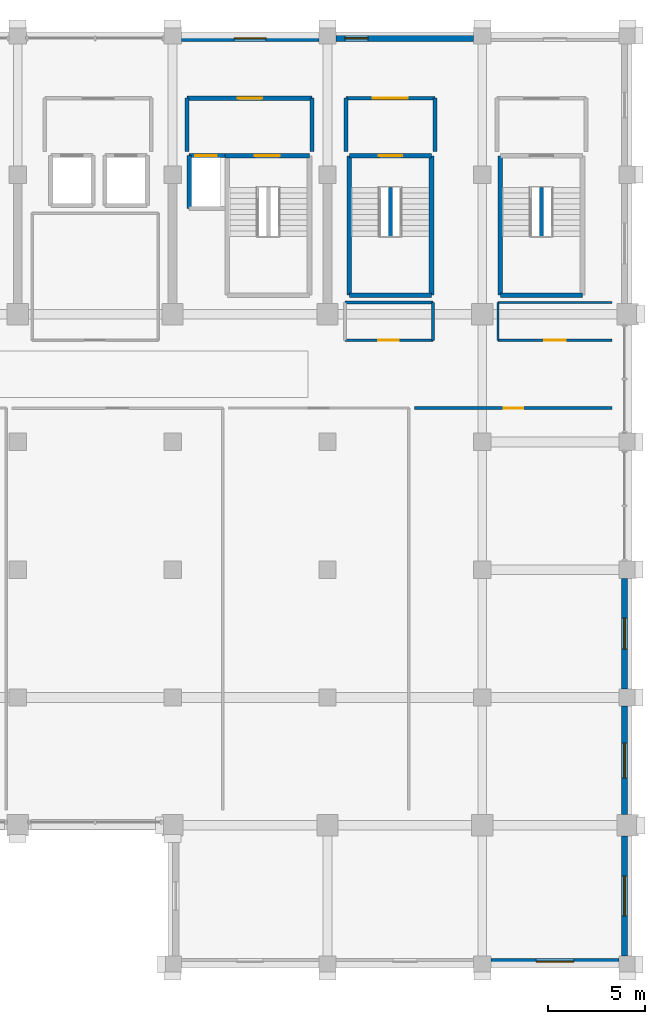
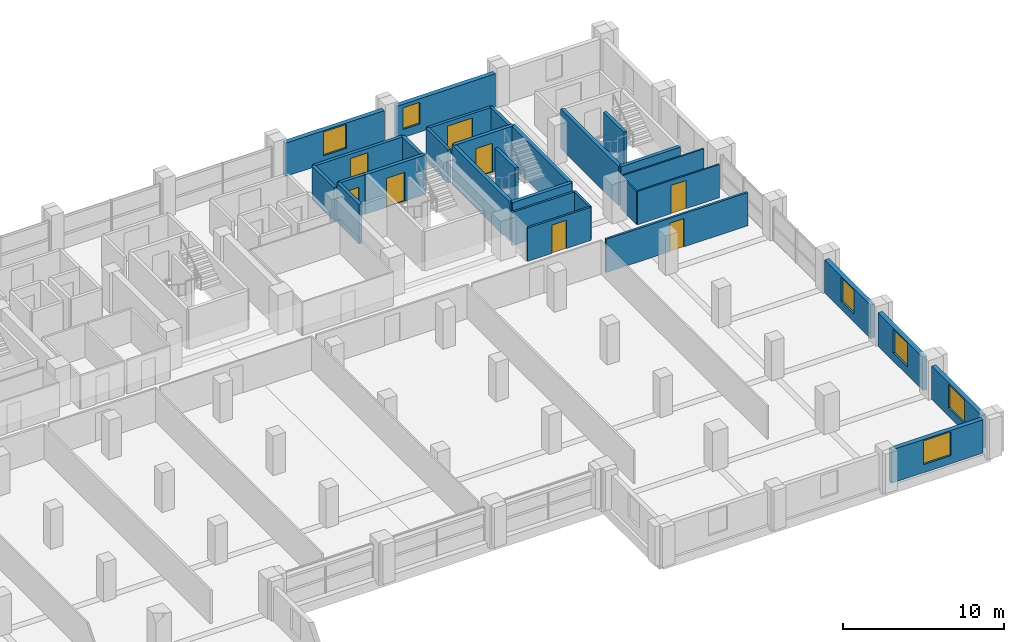
# One storey, part 19 of 22: 30 walls, 8 doors, 6 windows, 14 openings.
"""IFC4 building model written with IfcOpenShell, lengths in metres."""

from ifc_helpers import new_model, si_unit, direction, frame, frame_2d, origin, place, context, subcontext, project, spatial, rectangle, extrude, material, layer, layer_set, type_object, element, fill, save


model = new_model("IFC4")

# Units and contexts
model_context = context("Model", 3, precision=1e-05, world=origin(), true_north=direction((0.0, 1.0)))
body_context = subcontext(model_context, "Body", "Model", "MODEL_VIEW")
ifc_project = project(units=[si_unit("LENGTHUNIT", "METRE"), si_unit("AREAUNIT", "SQUARE_METRE"), si_unit("VOLUMEUNIT", "CUBIC_METRE"), si_unit("PLANEANGLEUNIT", "RADIAN"), si_unit("MASSUNIT", "GRAM", prefix="KILO")], contexts=[model_context])

# Site, building, storey
site_placement = place(None, origin())
site = spatial("IfcSite", under=ifc_project, at=site_placement, CompositionType="ELEMENT")
building_placement = place(site_placement, origin())
building = spatial("IfcBuilding", under=site, at=building_placement, Name="Akrevak Sports Hall", CompositionType="ELEMENT")
storey_placement = place(building_placement, frame((0.0, 0.0, 30.800048828125)))
storey = spatial("IfcBuildingStorey", under=building, at=storey_placement, Name="L06", CompositionType="ELEMENT", Elevation=30.800048828125)

# Wall, opening, window
ifc_material_1 = material(Name="Limestone Ashlar", Category="stone")
ifc_layer_1 = layer(ifc_material_1, 0.070068359375, Name="Limestone Ashlar")
ifc_material_2 = material(Name="Mineral Wool Thermal Insulation", Category="insulation")
ifc_layer_2 = layer(ifc_material_2, 0.090087890625, Name="Mineral Wool Thermal Insulation")
ifc_material_3 = material(Name="Concrete C40/50", Category="concrete")
ifc_layer_3 = layer(ifc_material_3, 0.159912109375, Name="Concrete C40/50")
ifc_layer_set_1 = layer_set([ifc_layer_1, ifc_layer_2, ifc_layer_3], Name="Limestone Ashlar / Mineral Wool Thermal Insulation / Concrete C40/50")
wall_type_1 = type_object("IfcWallType", Name="ARC-WL-EXT-320", PredefinedType="SOLIDWALL", material=ifc_layer_set_1)
wall_1_placement = place(storey_placement, frame((108.449951171875, 21.760009765625, 0.0), z_axis=(0.0, 0.0, 1.0), x_axis=(1.0, 0.0, 0.0)))
wall_1 = element("IfcWall", 1, at=wall_1_placement, inside=storey, type_object=wall_type_1, Name="Tower Stone Facade Wall L06-S11", PredefinedType="SOLIDWALL", context=body_context, shape_type="SweptSolid", body=[
    extrude(rectangle(XDim=6.60009765625, YDim=0.320068359375, at=frame_2d((3.300048828125, 0.0))), origin(), (0.0, 0.0, 1.0), 2.530029296875),
])
opening_1_placement = place(wall_1_placement, frame((2.324951171875, 0.0, 0.6201171875)))
opening_1 = element("IfcOpeningElement", 2, at=opening_1_placement, cuts=wall_1, Name="Opening WN-52", PredefinedType="OPENING", context=body_context, shape_type="SweptSolid", body=[
    extrude(rectangle(XDim=1.949951171875, YDim=1.81005859375, at=frame_2d((0.97509765625, 0.905029296875))), frame((0.0, 0.171875, 0.0), z_axis=(0.0, -1.0, 0.0), x_axis=(1.0, 0.0, 0.0)), (0.0, 0.0, 1.0), 0.343994140625),
])
ifc_material_4 = material(Name="Thermally Broken Bronze Frame & Double Low-E Glass", Category="glass")
window_type_1 = type_object("IfcWindowType", Name="ARC-WIN-SZ-1950x1810", PartitioningType="SINGLE_PANEL", PredefinedType="WINDOW", material=ifc_material_4)
window_1_placement = place(opening_1_placement, origin())
window_1 = element("IfcWindow", 3, at=window_1_placement, inside=storey, type_object=window_type_1, Name="Tower Window L06-S11", OverallHeight=1.81005859375, OverallWidth=1.949951171875, PartitioningType="SINGLE_PANEL", PredefinedType="WINDOW", context=body_context, shape_type="SweptSolid", body=[
    extrude(rectangle(XDim=1.949951171875, YDim=1.81005859375, at=frame_2d((0.97509765625, 0.905029296875))), frame((0.0, 0.030029296875, 0.0), z_axis=(0.0, -1.0, 0.0), x_axis=(1.0, 0.0, 0.0)), (0.0, 0.0, 1.0), 0.06005859375),
])
fill(opening_1, window_1)

wall_2_placement = place(storey_placement, frame((115.340087890625, 22.050048828125, 0.0), z_axis=(0.0, 0.0, 1.0), x_axis=(0.0, 1.0, 0.0)))
wall_2 = element("IfcWall", 4, at=wall_2_placement, inside=storey, type_object=wall_type_1, Name="Tower Stone Facade Wall L06-E12", PredefinedType="SOLIDWALL", context=body_context, shape_type="SweptSolid", body=[
    extrude(rectangle(XDim=6.199951171875, YDim=0.320068359375, at=frame_2d((3.10009765625, 0.0))), origin(), (0.0, 0.0, 1.0), 2.530029296875),
])
opening_2_placement = place(wall_2_placement, frame((2.074951171875, 0.0, 0.6201171875)))
opening_2 = element("IfcOpeningElement", 5, at=opening_2_placement, cuts=wall_2, Name="Opening WN-53", PredefinedType="OPENING", context=body_context, shape_type="SweptSolid", body=[
    extrude(rectangle(XDim=2.050048828125, YDim=1.81005859375, at=frame_2d((1.02490234375, 0.905029296875))), frame((0.0, 0.171875, 0.0), z_axis=(0.0, -1.0, 0.0), x_axis=(1.0, 0.0, 0.0)), (0.0, 0.0, 1.0), 0.343994140625),
])
window_type_2 = type_object("IfcWindowType", Name="ARC-WIN-SZ-2050x1810", PartitioningType="SINGLE_PANEL", PredefinedType="WINDOW", material=ifc_material_4)
window_2_placement = place(opening_2_placement, origin())
window_2 = element("IfcWindow", 6, at=window_2_placement, inside=storey, type_object=window_type_2, Name="Tower Window L06-E12", OverallHeight=1.81005859375, OverallWidth=2.050048828125, PartitioningType="SINGLE_PANEL", PredefinedType="WINDOW", context=body_context, shape_type="SweptSolid", body=[
    extrude(rectangle(XDim=2.050048828125, YDim=1.81005859375, at=frame_2d((1.02490234375, 0.905029296875))), frame((0.0, 0.030029296875, 0.0), z_axis=(0.0, -1.0, 0.0), x_axis=(1.0, 0.0, 0.0)), (0.0, 0.0, 1.0), 0.06005859375),
])
fill(opening_2, window_2)

wall_3_placement = place(storey_placement, frame((115.340087890625, 29.35009765625, 0.0), z_axis=(0.0, 0.0, 1.0), x_axis=(0.0, 1.0, 0.0)))
wall_3 = element("IfcWall", 7, at=wall_3_placement, inside=storey, type_object=wall_type_1, Name="Tower Stone Facade Wall L06-E13", PredefinedType="SOLIDWALL", context=body_context, shape_type="SweptSolid", body=[
    extrude(rectangle(XDim=5.599853515625, YDim=0.320068359375, at=frame_2d((2.7998046875, 0.0))), origin(), (0.0, 0.0, 1.0), 2.530029296875),
])
opening_3_placement = place(wall_3_placement, frame((1.89990234375, 0.0, 0.6201171875)))
opening_3 = element("IfcOpeningElement", 8, at=opening_3_placement, cuts=wall_3, Name="Opening WN-54", PredefinedType="OPENING", context=body_context, shape_type="SweptSolid", body=[
    extrude(rectangle(XDim=1.800048828125, YDim=1.81005859375, at=frame_2d((0.89990234375, 0.905029296875))), frame((0.0, 0.171875, 0.0), z_axis=(0.0, -1.0, 0.0), x_axis=(1.0, 0.0, 0.0)), (0.0, 0.0, 1.0), 0.343994140625),
])
window_type_3 = type_object("IfcWindowType", Name="ARC-WIN-SZ-1800x1810", PartitioningType="SINGLE_PANEL", PredefinedType="WINDOW", material=ifc_material_4)
window_3_placement = place(opening_3_placement, origin())
window_3 = element("IfcWindow", 9, at=window_3_placement, inside=storey, type_object=window_type_3, Name="Tower Window L06-E13", OverallHeight=1.81005859375, OverallWidth=1.800048828125, PartitioningType="SINGLE_PANEL", PredefinedType="WINDOW", context=body_context, shape_type="SweptSolid", body=[
    extrude(rectangle(XDim=1.800048828125, YDim=1.81005859375, at=frame_2d((0.89990234375, 0.905029296875))), frame((0.0, 0.030029296875, 0.0), z_axis=(0.0, -1.0, 0.0), x_axis=(1.0, 0.0, 0.0)), (0.0, 0.0, 1.0), 0.06005859375),
])
fill(opening_3, window_3)

wall_4_placement = place(storey_placement, frame((115.340087890625, 35.85009765625, 0.0), z_axis=(0.0, 0.0, 1.0), x_axis=(0.0, 1.0, 0.0)))
wall_4 = element("IfcWall", 10, at=wall_4_placement, inside=storey, type_object=wall_type_1, Name="Tower Stone Facade Wall L06-E14", PredefinedType="SOLIDWALL", context=body_context, shape_type="SweptSolid", body=[
    extrude(rectangle(XDim=5.699951171875, YDim=0.320068359375, at=frame_2d((2.85009765625, 0.0))), origin(), (0.0, 0.0, 1.0), 2.530029296875),
])
opening_4_placement = place(wall_4_placement, frame((2.050048828125, 0.0, 0.6201171875)))
opening_4 = element("IfcOpeningElement", 11, at=opening_4_placement, cuts=wall_4, Name="Opening WN-57", PredefinedType="OPENING", context=body_context, shape_type="SweptSolid", body=[
    extrude(rectangle(XDim=1.60009765625, YDim=1.81005859375, at=frame_2d((0.800048828125, 0.905029296875))), frame((0.0, 0.171875, 0.0), z_axis=(0.0, -1.0, 0.0), x_axis=(1.0, 0.0, 0.0)), (0.0, 0.0, 1.0), 0.343994140625),
])
window_type_4 = type_object("IfcWindowType", Name="ARC-WIN-SZ-1600x1810", PartitioningType="SINGLE_PANEL", PredefinedType="WINDOW", material=ifc_material_4)
window_4_placement = place(opening_4_placement, origin())
window_4 = element("IfcWindow", 12, at=window_4_placement, inside=storey, type_object=window_type_4, Name="Tower Window L06-E14", OverallHeight=1.81005859375, OverallWidth=1.60009765625, PartitioningType="SINGLE_PANEL", PredefinedType="WINDOW", context=body_context, shape_type="SweptSolid", body=[
    extrude(rectangle(XDim=1.60009765625, YDim=1.81005859375, at=frame_2d((0.800048828125, 0.905029296875))), frame((0.0, 0.030029296875, 0.0), z_axis=(0.0, -1.0, 0.0), x_axis=(1.0, 0.0, 0.0)), (0.0, 0.0, 1.0), 0.06005859375),
])
fill(opening_4, window_4)

wall_5_placement = place(storey_placement, frame((107.550048828125, 69.43994140625, 0.0), z_axis=(0.0, 0.0, 1.0), x_axis=(-1.0, 0.0, 0.0)))
wall_5 = element("IfcWall", 13, at=wall_5_placement, inside=storey, type_object=wall_type_1, Name="Tower Stone Facade Wall L06-N20", PredefinedType="SOLIDWALL", context=body_context, shape_type="SweptSolid", body=[
    extrude(rectangle(XDim=7.10009765625, YDim=0.320068359375, at=frame_2d((3.550048828125, 0.0))), origin(), (0.0, 0.0, 1.0), 2.530029296875),
])
opening_5_placement = place(wall_5_placement, frame((5.449951171875, 0.0, 0.6201171875)))
opening_5 = element("IfcOpeningElement", 14, at=opening_5_placement, cuts=wall_5, Name="Opening WN-45", PredefinedType="OPENING", context=body_context, shape_type="SweptSolid", body=[
    extrude(rectangle(XDim=1.199951171875, YDim=1.64990234375, at=frame_2d((0.60009765625, 0.824951171875))), frame((0.0, 0.171875, 0.0), z_axis=(0.0, -1.0, 0.0), x_axis=(1.0, 0.0, 0.0)), (0.0, 0.0, 1.0), 0.343994140625),
])
window_type_5 = type_object("IfcWindowType", Name="ARC-WIN-SZ-1200x1650", PartitioningType="SINGLE_PANEL", PredefinedType="WINDOW", material=ifc_material_4)
window_5_placement = place(opening_5_placement, origin())
window_5 = element("IfcWindow", 15, at=window_5_placement, inside=storey, type_object=window_type_5, Name="Tower Window L06-N20", OverallHeight=1.64990234375, OverallWidth=1.199951171875, PartitioningType="SINGLE_PANEL", PredefinedType="WINDOW", context=body_context, shape_type="SweptSolid", body=[
    extrude(rectangle(XDim=1.199951171875, YDim=1.64990234375, at=frame_2d((0.60009765625, 0.824951171875))), frame((0.0, 0.030029296875, 0.0), z_axis=(0.0, -1.0, 0.0), x_axis=(1.0, 0.0, 0.0)), (0.0, 0.0, 1.0), 0.06005859375),
])
fill(opening_5, window_5)

wall_6_placement = place(storey_placement, frame((99.550048828125, 69.43994140625, 0.0), z_axis=(0.0, 0.0, 1.0), x_axis=(-1.0, 0.0, 0.0)))
wall_6 = element("IfcWall", 16, at=wall_6_placement, inside=storey, type_object=wall_type_1, Name="Tower Stone Facade Wall L06-N21", PredefinedType="SOLIDWALL", context=body_context, shape_type="SweptSolid", body=[
    extrude(rectangle(XDim=7.10009765625, YDim=0.320068359375, at=frame_2d((3.550048828125, 0.0))), origin(), (0.0, 0.0, 1.0), 2.530029296875),
])
opening_6_placement = place(wall_6_placement, frame((2.72509765625, 0.0, 0.6201171875)))
opening_6 = element("IfcOpeningElement", 17, at=opening_6_placement, cuts=wall_6, Name="Opening WN-58", PredefinedType="OPENING", context=body_context, shape_type="SweptSolid", body=[
    extrude(rectangle(XDim=1.64990234375, YDim=1.81005859375, at=frame_2d((0.824951171875, 0.905029296875))), frame((0.0, 0.171875, 0.0), z_axis=(0.0, -1.0, 0.0), x_axis=(1.0, 0.0, 0.0)), (0.0, 0.0, 1.0), 0.343994140625),
])
window_type_6 = type_object("IfcWindowType", Name="ARC-WIN-SZ-1650x1810", PartitioningType="SINGLE_PANEL", PredefinedType="WINDOW", material=ifc_material_4)
window_6_placement = place(opening_6_placement, origin())
window_6 = element("IfcWindow", 18, at=window_6_placement, inside=storey, type_object=window_type_6, Name="Tower Window L06-N21", OverallHeight=1.81005859375, OverallWidth=1.64990234375, PartitioningType="SINGLE_PANEL", PredefinedType="WINDOW", context=body_context, shape_type="SweptSolid", body=[
    extrude(rectangle(XDim=1.64990234375, YDim=1.81005859375, at=frame_2d((0.824951171875, 0.905029296875))), frame((0.0, 0.030029296875, 0.0), z_axis=(0.0, -1.0, 0.0), x_axis=(1.0, 0.0, 0.0)), (0.0, 0.0, 1.0), 0.06005859375),
])
fill(opening_6, window_6)

# Wall, opening, door
ifc_material_5 = material(Name="Lightweight Office Partition", Category="gypsum")
ifc_layer_4 = layer(ifc_material_5, 0.110107421875, Name="Lightweight Office Partition")
ifc_layer_set_2 = layer_set([ifc_layer_4], Name="Lightweight Office Partition")
wall_type_2 = type_object("IfcWallType", Name="ARC-WL-PRT-110", PredefinedType="PARTITIONING", material=ifc_layer_set_2)
wall_7_placement = place(storey_placement, frame((108.800048828125, 53.85009765625, 0.0), z_axis=(0.0, 0.0, 1.0), x_axis=(1.0, 0.0, 0.0)))
wall_7 = element("IfcWall", 19, at=wall_7_placement, inside=storey, type_object=wall_type_2, Name="Interior Partition International Athletics Office L06-E3 (S)", PredefinedType="PARTITIONING", context=body_context, shape_type="SweptSolid", body=[
    extrude(rectangle(XDim=5.89990234375, YDim=0.110107421875, at=frame_2d((2.949951171875, 0.0))), origin(), (0.0, 0.0, 1.0), 2.530029296875),
])
opening_7_placement = place(wall_7_placement, frame((2.39990234375, 0.0, 0.0)))
opening_7 = element("IfcOpeningElement", 20, at=opening_7_placement, cuts=wall_7, Name="Opening ID-04", PredefinedType="OPENING", context=body_context, shape_type="SweptSolid", body=[
    extrude(rectangle(XDim=1.10009765625, YDim=2.14990234375, at=frame_2d((0.550048828125, 1.074951171875))), frame((0.0, 0.06689453125, 0.0), z_axis=(0.0, -1.0, 0.0), x_axis=(1.0, 0.0, 0.0)), (0.0, 0.0, 1.0), 0.134033203125),
])
ifc_material_6 = material(Name="Hardwood Oak Acoustic Leaf", Category="wood")
door_type_1 = type_object("IfcDoorType", Name="ARC-DR-OFF-110x215", OperationType="NOTDEFINED", PredefinedType="DOOR", material=ifc_material_6)
door_1_placement = place(opening_7_placement, origin())
door_1 = element("IfcDoor", 21, at=door_1_placement, inside=storey, type_object=door_type_1, Name="Door to International Athletics Office L06-E3", OperationType="SINGLE_SWING_LEFT", OverallHeight=2.14990234375, OverallWidth=1.10009765625, PredefinedType="DOOR", context=body_context, shape_type="SweptSolid", body=[
    extrude(rectangle(XDim=1.10009765625, YDim=2.14990234375, at=frame_2d((0.550048828125, 1.074951171875))), frame((0.0, 0.02490234375, 0.0), z_axis=(0.0, -1.0, 0.0), x_axis=(1.0, 0.0, 0.0)), (0.0, 0.0, 1.0), 0.050048828125),
])
fill(opening_7, door_1)

# Walls
wall_8_placement = place(storey_placement, frame((108.800048828125, 55.800048828125, 0.0), z_axis=(0.0, 0.0, 1.0), x_axis=(1.0, 0.0, 0.0)))
element("IfcWall", 22, at=wall_8_placement, inside=storey, type_object=wall_type_2, Name="Interior Partition International Athletics Office L06-E3 (N)", PredefinedType="PARTITIONING", context=body_context, shape_type="SweptSolid", body=[
    extrude(rectangle(XDim=5.89990234375, YDim=0.110107421875, at=frame_2d((2.949951171875, 0.0))), origin(), (0.0, 0.0, 1.0), 2.530029296875),
])
wall_9_placement = place(storey_placement, frame((108.800048828125, 53.85009765625, 0.0), z_axis=(0.0, 0.0, 1.0), x_axis=(0.0, 1.0, 0.0)))
element("IfcWall", 23, at=wall_9_placement, inside=storey, type_object=wall_type_2, Name="Interior Partition International Athletics Office L06-E3 (W)", PredefinedType="PARTITIONING", context=body_context, shape_type="SweptSolid", body=[
    extrude(rectangle(XDim=1.949951171875, YDim=0.110107421875, at=frame_2d((0.97509765625, 0.0))), origin(), (0.0, 0.0, 1.0), 2.530029296875),
])

# Wall, opening, door
ifc_material_7 = material(Name="Double Stud Acoustic Gypsum Partition", Category="gypsum")
ifc_layer_5 = layer(ifc_material_7, 0.14990234375, Name="Double Stud Acoustic Gypsum Partition")
ifc_layer_set_3 = layer_set([ifc_layer_5], Name="Double Stud Acoustic Gypsum Partition")
wall_type_3 = type_object("IfcWallType", Name="ARC-WL-PRT-150", PredefinedType="PARTITIONING", material=ifc_layer_set_3)
wall_10_placement = place(storey_placement, frame((104.5, 50.35009765625, 0.0), z_axis=(0.0, 0.0, 1.0), x_axis=(1.0, 0.0, 0.0)))
wall_10 = element("IfcWall", 24, at=wall_10_placement, inside=storey, type_object=wall_type_3, Name="Interior Partition Federation Conference Room A (L06) (N)", PredefinedType="PARTITIONING", context=body_context, shape_type="SweptSolid", body=[
    extrude(rectangle(XDim=10.199951171875, YDim=0.14990234375, at=frame_2d((5.10009765625, 0.0))), origin(), (0.0, 0.0, 1.0), 2.530029296875),
])
opening_8_placement = place(wall_10_placement, frame((4.60009765625, 0.0, 0.0)))
opening_8 = element("IfcOpeningElement", 25, at=opening_8_placement, cuts=wall_10, Name="Opening ID-06", PredefinedType="OPENING", context=body_context, shape_type="SweptSolid", body=[
    extrude(rectangle(XDim=1.0, YDim=2.14990234375, at=frame_2d((0.5, 1.074951171875))), frame((0.0, 0.0869140625, 0.0), z_axis=(0.0, -1.0, 0.0), x_axis=(1.0, 0.0, 0.0)), (0.0, 0.0, 1.0), 0.173828125),
])
door_type_2 = type_object("IfcDoorType", Name="ARC-DR-OFF-100x215", OperationType="NOTDEFINED", PredefinedType="DOOR", material=ifc_material_6)
door_2_placement = place(opening_8_placement, origin())
door_2 = element("IfcDoor", 26, at=door_2_placement, inside=storey, type_object=door_type_2, Name="Door to Federation Conference Room A (L06)", OperationType="SINGLE_SWING_LEFT", OverallHeight=2.14990234375, OverallWidth=1.0, PredefinedType="DOOR", context=body_context, shape_type="SweptSolid", body=[
    extrude(rectangle(XDim=1.0, YDim=2.14990234375, at=frame_2d((0.5, 1.074951171875))), frame((0.0, 0.02490234375, 0.0), z_axis=(0.0, -1.0, 0.0), x_axis=(1.0, 0.0, 0.0)), (0.0, 0.0, 1.0), 0.050048828125),
])
fill(opening_8, door_2)

wall_11_placement = place(storey_placement, frame((100.89990234375, 53.85009765625, 0.0), z_axis=(0.0, 0.0, 1.0), x_axis=(1.0, 0.0, 0.0)))
wall_11 = element("IfcWall", 27, at=wall_11_placement, inside=storey, type_object=wall_type_3, Name="Interior Partition Federation Research Office L06-E1 (S)", PredefinedType="PARTITIONING", context=body_context, shape_type="SweptSolid", body=[
    extrude(rectangle(XDim=4.550048828125, YDim=0.14990234375, at=frame_2d((2.27490234375, 0.0))), origin(), (0.0, 0.0, 1.0), 2.530029296875),
])
opening_9_placement = place(wall_11_placement, frame((1.72509765625, 0.0, 0.0)))
opening_9 = element("IfcOpeningElement", 28, at=opening_9_placement, cuts=wall_11, Name="Opening ID-05", PredefinedType="OPENING", context=body_context, shape_type="SweptSolid", body=[
    extrude(rectangle(XDim=1.050048828125, YDim=2.14990234375, at=frame_2d((0.52490234375, 1.074951171875))), frame((0.0, 0.0869140625, 0.0), z_axis=(0.0, -1.0, 0.0), x_axis=(1.0, 0.0, 0.0)), (0.0, 0.0, 1.0), 0.173828125),
])
door_type_3 = type_object("IfcDoorType", Name="ARC-DR-OFF-105x215", OperationType="NOTDEFINED", PredefinedType="DOOR", material=ifc_material_6)
door_3_placement = place(opening_9_placement, origin())
door_3 = element("IfcDoor", 29, at=door_3_placement, inside=storey, type_object=door_type_3, Name="Door to Federation Research Office L06-E1", OperationType="SINGLE_SWING_LEFT", OverallHeight=2.14990234375, OverallWidth=1.050048828125, PredefinedType="DOOR", context=body_context, shape_type="SweptSolid", body=[
    extrude(rectangle(XDim=1.050048828125, YDim=2.14990234375, at=frame_2d((0.52490234375, 1.074951171875))), frame((0.0, 0.02490234375, 0.0), z_axis=(0.0, -1.0, 0.0), x_axis=(1.0, 0.0, 0.0)), (0.0, 0.0, 1.0), 0.050048828125),
])
fill(opening_9, door_3)

# Walls
wall_12_placement = place(storey_placement, frame((100.89990234375, 55.800048828125, 0.0), z_axis=(0.0, 0.0, 1.0), x_axis=(1.0, 0.0, 0.0)))
element("IfcWall", 30, at=wall_12_placement, inside=storey, type_object=wall_type_3, Name="Interior Partition Federation Research Office L06-E1 (N)", PredefinedType="PARTITIONING", context=body_context, shape_type="SweptSolid", body=[
    extrude(rectangle(XDim=4.550048828125, YDim=0.14990234375, at=frame_2d((2.27490234375, 0.0))), origin(), (0.0, 0.0, 1.0), 2.530029296875),
])
wall_13_placement = place(storey_placement, frame((105.449951171875, 53.85009765625, 0.0), z_axis=(0.0, 0.0, 1.0), x_axis=(0.0, 1.0, 0.0)))
element("IfcWall", 31, at=wall_13_placement, inside=storey, type_object=wall_type_3, Name="Interior Partition Federation Research Office L06-E1 (E)", PredefinedType="PARTITIONING", context=body_context, shape_type="SweptSolid", body=[
    extrude(rectangle(XDim=1.949951171875, YDim=0.14990234375, at=frame_2d((0.97509765625, 0.0))), origin(), (0.0, 0.0, 1.0), 2.530029296875),
])

# Wall, opening, door
ifc_material_8 = material(Name="Autoclaved Aerated Masonry Block", Category="masonry")
ifc_layer_6 = layer(ifc_material_8, 0.199951171875, Name="Autoclaved Aerated Masonry Block")
ifc_layer_set_4 = layer_set([ifc_layer_6], Name="Autoclaved Aerated Masonry Block")
wall_type_4 = type_object("IfcWallType", Name="ARC-WL-PRT-200", PredefinedType="PARTITIONING", material=ifc_layer_set_4)
wall_14_placement = place(storey_placement, frame((100.949951171875, 66.35009765625, 0.0), z_axis=(0.0, 0.0, 1.0), x_axis=(1.0, 0.0, 0.0)))
wall_14 = element("IfcWall", 32, at=wall_14_placement, inside=storey, type_object=wall_type_4, Name="Interior Partition East Wing Stair ST10 Vestibule L06 (N)", PredefinedType="PARTITIONING", context=body_context, shape_type="SweptSolid", body=[
    extrude(rectangle(XDim=4.60009765625, YDim=0.199951171875, at=frame_2d((2.300048828125, 0.0))), origin(), (0.0, 0.0, 1.0), 2.530029296875),
])
opening_10_placement = place(wall_14_placement, frame((1.39990234375, 0.0, 0.0)))
opening_10 = element("IfcOpeningElement", 33, at=opening_10_placement, cuts=wall_14, Name="Opening FD-02", PredefinedType="OPENING", context=body_context, shape_type="SweptSolid", body=[
    extrude(rectangle(XDim=1.800048828125, YDim=2.199951171875, at=frame_2d((0.89990234375, 1.10009765625))), frame((0.0, 0.11181640625, 0.0), z_axis=(0.0, -1.0, 0.0), x_axis=(1.0, 0.0, 0.0)), (0.0, 0.0, 1.0), 0.223876953125),
])
ifc_material_9 = material(Name="Fire-Rated Galvanized Door Steel", Category="steel")
door_type_4 = type_object("IfcDoorType", Name="ARC-DR-FIRE-180x220", OperationType="DOUBLE_DOOR_SINGLE_SWING", PredefinedType="DOOR", material=ifc_material_9)
door_4_placement = place(opening_10_placement, frame((1.800048828125, 0.0, 0.0), z_axis=(0.0, 0.0, 1.0), x_axis=(-1.0, 0.0, 0.0)))
door_4 = element("IfcDoor", 34, at=door_4_placement, inside=storey, type_object=door_type_4, Name="Door to East Wing Stair ST10 Vestibule L06", OperationType="DOUBLE_DOOR_SINGLE_SWING", OverallHeight=2.199951171875, OverallWidth=1.800048828125, PredefinedType="DOOR", context=body_context, shape_type="SweptSolid", body=[
    extrude(rectangle(XDim=1.800048828125, YDim=2.199951171875, at=frame_2d((0.89990234375, 1.10009765625))), frame((0.0, 0.02490234375, 0.0), z_axis=(0.0, -1.0, 0.0), x_axis=(1.0, 0.0, 0.0)), (0.0, 0.0, 1.0), 0.050048828125),
])
fill(opening_10, door_4)

# Walls
for number, where, z_axis, x_axis, name in (
    (35, (100.949951171875, 63.60009765625, 0.0), (0.0, 0.0, 1.0), (0.0, 1.0, 0.0), "Interior Partition East Wing Stair ST10 Vestibule L06 (W)"),
    (36, (105.550048828125, 63.60009765625, 0.0), (0.0, 0.0, 1.0), (0.0, 1.0, 0.0), "Interior Partition East Wing Stair ST10 Vestibule L06 (E)"),
):
    element("IfcWall", number, at=place(storey_placement, frame(where, z_axis=z_axis, x_axis=x_axis)), inside=storey, type_object=wall_type_4, Name=name, PredefinedType="PARTITIONING", context=body_context, shape_type="SweptSolid", body=[
        extrude(rectangle(XDim=2.75, YDim=0.199951171875, at=frame_2d((1.375, 0.0))), origin(), (0.0, 0.0, 1.0), 2.530029296875),
    ])
ifc_layer_7 = layer(ifc_material_3, 0.219970703125, Name="Concrete C40/50")
ifc_layer_set_5 = layer_set([ifc_layer_7], Name="Concrete C40/50")
wall_type_5 = type_object("IfcWallType", Name="ARC-WL-PRT-220", PredefinedType="PARTITIONING", material=ifc_layer_set_5)
for number, where, z_axis, x_axis, name in (
    (37, (103.25, 59.215087890625, 0.0), (0.0, 0.0, 1.0), (0.0, 1.0, 0.0), "Stair ST10 Central Spine Wall (L06)"),
    (38, (111.050048828125, 59.215087890625, 0.0), (0.0, 0.0, 1.0), (0.0, 1.0, 0.0), "Stair ST11 Central Spine Wall (L06)"),
):
    element("IfcWall", number, at=place(storey_placement, frame(where, z_axis=z_axis, x_axis=x_axis)), inside=storey, type_object=wall_type_5, Name=name, PredefinedType="PARTITIONING", context=body_context, shape_type="SweptSolid", body=[
        extrude(rectangle(XDim=2.52001953125, YDim=0.219970703125, at=frame_2d((1.260009765625, 0.0))), origin(), (0.0, 0.0, 1.0), 3.0),
    ])

# Wall, opening, door
wall_15_placement = place(storey_placement, frame((92.75, 66.35009765625, 0.0), z_axis=(0.0, 0.0, 1.0), x_axis=(1.0, 0.0, 0.0)))
wall_15 = element("IfcWall", 39, at=wall_15_placement, inside=storey, type_object=wall_type_5, Name="Interior Partition Firefighting Lobby East L06 (N)", PredefinedType="PARTITIONING", context=body_context, shape_type="SweptSolid", body=[
    extrude(rectangle(XDim=6.449951171875, YDim=0.219970703125, at=frame_2d((3.22509765625, 0.0))), origin(), (0.0, 0.0, 1.0), 2.530029296875),
])
opening_11_placement = place(wall_15_placement, frame((2.625, 0.0, 0.0)))
opening_11 = element("IfcOpeningElement", 40, at=opening_11_placement, cuts=wall_15, Name="Opening FD-01", PredefinedType="OPENING", context=body_context, shape_type="SweptSolid", body=[
    extrude(rectangle(XDim=1.25, YDim=2.199951171875, at=frame_2d((0.625, 1.10009765625))), frame((0.0, 0.1220703125, 0.0), z_axis=(0.0, -1.0, 0.0), x_axis=(1.0, 0.0, 0.0)), (0.0, 0.0, 1.0), 0.243896484375),
])
door_type_5 = type_object("IfcDoorType", Name="ARC-DR-FFL-125x220", OperationType="NOTDEFINED", PredefinedType="DOOR", material=ifc_material_9)
door_5_placement = place(opening_11_placement, frame((1.25, 0.0, 0.0), z_axis=(0.0, 0.0, 1.0), x_axis=(-1.0, 0.0, 0.0)))
door_5 = element("IfcDoor", 41, at=door_5_placement, inside=storey, type_object=door_type_5, Name="Door to Firefighting Lobby East L06", OperationType="SINGLE_SWING_RIGHT", OverallHeight=2.199951171875, OverallWidth=1.25, PredefinedType="DOOR", context=body_context, shape_type="SweptSolid", body=[
    extrude(rectangle(XDim=1.25, YDim=2.199951171875, at=frame_2d((0.625, 1.10009765625))), frame((0.0, 0.02490234375, 0.0), z_axis=(0.0, -1.0, 0.0), x_axis=(1.0, 0.0, 0.0)), (0.0, 0.0, 1.0), 0.050048828125),
])
fill(opening_11, door_5)

# Walls
for number, where, z_axis, x_axis, name in (
    (42, (92.75, 63.60009765625, 0.0), (0.0, 0.0, 1.0), (0.0, 1.0, 0.0), "Interior Partition Firefighting Lobby East L06 (W)"),
    (43, (99.199951171875, 63.60009765625, 0.0), (0.0, 0.0, 1.0), (0.0, 1.0, 0.0), "Interior Partition Firefighting Lobby East L06 (E)"),
):
    element("IfcWall", number, at=place(storey_placement, frame(where, z_axis=z_axis, x_axis=x_axis)), inside=storey, type_object=wall_type_5, Name=name, PredefinedType="PARTITIONING", context=body_context, shape_type="SweptSolid", body=[
        extrude(rectangle(XDim=2.75, YDim=0.219970703125, at=frame_2d((1.375, 0.0))), origin(), (0.0, 0.0, 1.0), 2.530029296875),
    ])

# Wall, opening, door
ifc_material_10 = material(Name="Concrete C50/60", Category="concrete")
ifc_layer_8 = layer(ifc_material_10, 0.219970703125, Name="Concrete C50/60")
ifc_layer_set_6 = layer_set([ifc_layer_8], Name="Concrete C50/60")
wall_type_6 = type_object("IfcWallType", Name="ARC-WL-SHAFT-220", PredefinedType="SHEAR", material=ifc_layer_set_6)
wall_16_placement = place(storey_placement, frame((94.699951171875, 63.389892578125, 0.0), z_axis=(0.0, 0.0, 1.0), x_axis=(-1.0, 0.0, 0.0)))
wall_16 = element("IfcWall", 44, at=wall_16_placement, inside=storey, type_object=wall_type_6, Name="Lift Shaft LF-FF2 Wall N (L06)", PredefinedType="SHEAR", context=body_context, shape_type="SweptSolid", body=[
    extrude(rectangle(XDim=1.83984375, YDim=0.219970703125, at=frame_2d((0.919921875, 0.0))), origin(), (0.0, 0.0, 1.0), 3.0),
])
opening_12_placement = place(wall_16_placement, frame((0.425048828125, 0.0, 0.0)))
opening_12 = element("IfcOpeningElement", 45, at=opening_12_placement, cuts=wall_16, Name="Opening LD-01", PredefinedType="OPENING", context=body_context, shape_type="SweptSolid", body=[
    extrude(rectangle(XDim=1.10009765625, YDim=2.199951171875, at=frame_2d((0.550048828125, 1.10009765625))), frame((0.0, 0.1220703125, 0.0), z_axis=(0.0, -1.0, 0.0), x_axis=(1.0, 0.0, 0.0)), (0.0, 0.0, 1.0), 0.243896484375),
])
ifc_material_11 = material(Name="Brushed Stainless Steel 304", Category="steel")
door_type_6 = type_object("IfcDoorType", Name="ARC-DR-LD-110x220", OperationType="SLIDING_TO_LEFT", PredefinedType="DOOR", material=ifc_material_11)
door_6_placement = place(opening_12_placement, origin())
door_6 = element("IfcDoor", 46, at=door_6_placement, inside=storey, type_object=door_type_6, Name="Lift LF-FF2 Sliding Landing Door (L06)", OperationType="SLIDING_TO_LEFT", OverallHeight=2.199951171875, OverallWidth=1.10009765625, PredefinedType="DOOR", context=body_context, shape_type="SweptSolid", body=[
    extrude(rectangle(XDim=1.10009765625, YDim=2.199951171875, at=frame_2d((0.550048828125, 1.10009765625))), frame((0.0, 0.02490234375, 0.0), z_axis=(0.0, -1.0, 0.0), x_axis=(1.0, 0.0, 0.0)), (0.0, 0.0, 1.0), 0.050048828125),
])
fill(opening_12, door_6)

# Wall
wall_17_placement = place(storey_placement, frame((92.860107421875, 63.389892578125, 0.0), z_axis=(0.0, 0.0, 1.0), x_axis=(0.0, -1.0, 0.0)))
element("IfcWall", 47, at=wall_17_placement, inside=storey, type_object=wall_type_6, Name="Lift Shaft LF-FF2 Wall W (L06)", PredefinedType="SHEAR", context=body_context, shape_type="SweptSolid", body=[
    extrude(rectangle(XDim=2.72998046875, YDim=0.219970703125, at=frame_2d((1.364990234375, 0.0))), origin(), (0.0, 0.0, 1.0), 3.0),
])

# Wall, opening, door
ifc_layer_9 = layer(ifc_material_10, 0.25, Name="Concrete C50/60")
ifc_layer_set_7 = layer_set([ifc_layer_9], Name="Concrete C50/60")
wall_type_7 = type_object("IfcWallType", Name="STR-WL-STAIR-250", PredefinedType="SHEAR", material=ifc_layer_set_7)
wall_18_placement = place(storey_placement, frame((99.074951171875, 63.375, 0.0), z_axis=(0.0, 0.0, 1.0), x_axis=(-1.0, 0.0, 0.0)))
wall_18 = element("IfcWall", 48, at=wall_18_placement, inside=storey, type_object=wall_type_7, Name="Stair Core ST2 Shear Wall N (L06)", PredefinedType="SHEAR", context=body_context, shape_type="SweptSolid", body=[
    extrude(rectangle(XDim=4.375, YDim=0.25, at=frame_2d((2.1875, 0.0))), origin(), (0.0, 0.0, 1.0), 3.0),
])
opening_13_placement = place(wall_18_placement, frame((1.53759765625, 0.0, 0.0)))
opening_13 = element("IfcOpeningElement", 49, at=opening_13_placement, cuts=wall_18, Name="Opening SD-01", PredefinedType="OPENING", context=body_context, shape_type="SweptSolid", body=[
    extrude(rectangle(XDim=1.300048828125, YDim=2.199951171875, at=frame_2d((0.64990234375, 1.10009765625))), frame((0.0, 0.136962890625, 0.0), z_axis=(0.0, -1.0, 0.0), x_axis=(1.0, 0.0, 0.0)), (0.0, 0.0, 1.0), 0.27392578125),
])
door_type_7 = type_object("IfcDoorType", Name="ARC-DR-STAIR-130x220", OperationType="NOTDEFINED", PredefinedType="DOOR", material=ifc_material_9)
door_7_placement = place(opening_13_placement, origin())
door_7 = element("IfcDoor", 50, at=door_7_placement, inside=storey, type_object=door_type_7, Name="Exit Stair ST2 Door (L06)", OperationType="SINGLE_SWING_LEFT", OverallHeight=2.199951171875, OverallWidth=1.300048828125, PredefinedType="DOOR", context=body_context, shape_type="SweptSolid", body=[
    extrude(rectangle(XDim=1.300048828125, YDim=2.199951171875, at=frame_2d((0.64990234375, 1.10009765625))), frame((0.0, 0.02490234375, 0.0), z_axis=(0.0, -1.0, 0.0), x_axis=(1.0, 0.0, 0.0)), (0.0, 0.0, 1.0), 0.050048828125),
])
fill(opening_13, door_7)

# Wall
wall_19_placement = place(storey_placement, frame((101.125, 56.175048828125, 0.0), z_axis=(0.0, 0.0, 1.0), x_axis=(1.0, 0.0, 0.0)))
element("IfcWall", 51, at=wall_19_placement, inside=storey, type_object=wall_type_7, Name="Stair Core ST10 Shear Wall S (L06)", PredefinedType="SHEAR", context=body_context, shape_type="SweptSolid", body=[
    extrude(rectangle(XDim=4.25, YDim=0.25, at=frame_2d((2.125, 0.0))), origin(), (0.0, 0.0, 1.0), 3.0),
])

# Wall, opening, door
wall_20_placement = place(storey_placement, frame((105.375, 63.375, 0.0), z_axis=(0.0, 0.0, 1.0), x_axis=(-1.0, 0.0, 0.0)))
wall_20 = element("IfcWall", 52, at=wall_20_placement, inside=storey, type_object=wall_type_7, Name="Stair Core ST10 Shear Wall N (L06)", PredefinedType="SHEAR", context=body_context, shape_type="SweptSolid", body=[
    extrude(rectangle(XDim=4.25, YDim=0.25, at=frame_2d((2.125, 0.0))), origin(), (0.0, 0.0, 1.0), 3.0),
])
opening_14_placement = place(wall_20_placement, frame((1.52490234375, 0.0, 0.0)))
opening_14 = element("IfcOpeningElement", 53, at=opening_14_placement, cuts=wall_20, Name="Opening SD-02", PredefinedType="OPENING", context=body_context, shape_type="SweptSolid", body=[
    extrude(rectangle(XDim=1.199951171875, YDim=2.199951171875, at=frame_2d((0.60009765625, 1.10009765625))), frame((0.0, 0.136962890625, 0.0), z_axis=(0.0, -1.0, 0.0), x_axis=(1.0, 0.0, 0.0)), (0.0, 0.0, 1.0), 0.27392578125),
])
door_type_8 = type_object("IfcDoorType", Name="ARC-DR-STAIR-120x220", OperationType="NOTDEFINED", PredefinedType="DOOR", material=ifc_material_9)
door_8_placement = place(opening_14_placement, origin())
door_8 = element("IfcDoor", 54, at=door_8_placement, inside=storey, type_object=door_type_8, Name="Exit Stair ST10 Door (L06)", OperationType="SINGLE_SWING_LEFT", OverallHeight=2.199951171875, OverallWidth=1.199951171875, PredefinedType="DOOR", context=body_context, shape_type="SweptSolid", body=[
    extrude(rectangle(XDim=1.199951171875, YDim=2.199951171875, at=frame_2d((0.60009765625, 1.10009765625))), frame((0.0, 0.02490234375, 0.0), z_axis=(0.0, -1.0, 0.0), x_axis=(1.0, 0.0, 0.0)), (0.0, 0.0, 1.0), 0.050048828125),
])
fill(opening_14, door_8)

# Walls
for number, where, z_axis, x_axis, name in (
    (55, (101.125, 63.375, 0.0), (0.0, 0.0, 1.0), (0.0, -1.0, 0.0), "Stair Core ST10 Shear Wall W (L06)"),
    (56, (105.375, 56.175048828125, 0.0), (0.0, 0.0, 1.0), (0.0, 1.0, 0.0), "Stair Core ST10 Shear Wall E (L06)"),
):
    element("IfcWall", number, at=place(storey_placement, frame(where, z_axis=z_axis, x_axis=x_axis)), inside=storey, type_object=wall_type_7, Name=name, PredefinedType="SHEAR", context=body_context, shape_type="SweptSolid", body=[
        extrude(rectangle(XDim=7.199951171875, YDim=0.25, at=frame_2d((3.60009765625, 0.0))), origin(), (0.0, 0.0, 1.0), 3.0),
    ])
wall_21_placement = place(storey_placement, frame((108.925048828125, 56.175048828125, 0.0), z_axis=(0.0, 0.0, 1.0), x_axis=(1.0, 0.0, 0.0)))
element("IfcWall", 57, at=wall_21_placement, inside=storey, type_object=wall_type_7, Name="Stair Core ST11 Shear Wall S (L06)", PredefinedType="SHEAR", context=body_context, shape_type="SweptSolid", body=[
    extrude(rectangle(XDim=4.25, YDim=0.25, at=frame_2d((2.125, 0.0))), origin(), (0.0, 0.0, 1.0), 3.0),
])
wall_22_placement = place(storey_placement, frame((108.925048828125, 63.375, 0.0), z_axis=(0.0, 0.0, 1.0), x_axis=(0.0, -1.0, 0.0)))
element("IfcWall", 58, at=wall_22_placement, inside=storey, type_object=wall_type_7, Name="Stair Core ST11 Shear Wall W (L06)", PredefinedType="SHEAR", context=body_context, shape_type="SweptSolid", body=[
    extrude(rectangle(XDim=7.199951171875, YDim=0.25, at=frame_2d((3.60009765625, 0.0))), origin(), (0.0, 0.0, 1.0), 3.0),
])

save(model, "model.ifc")
